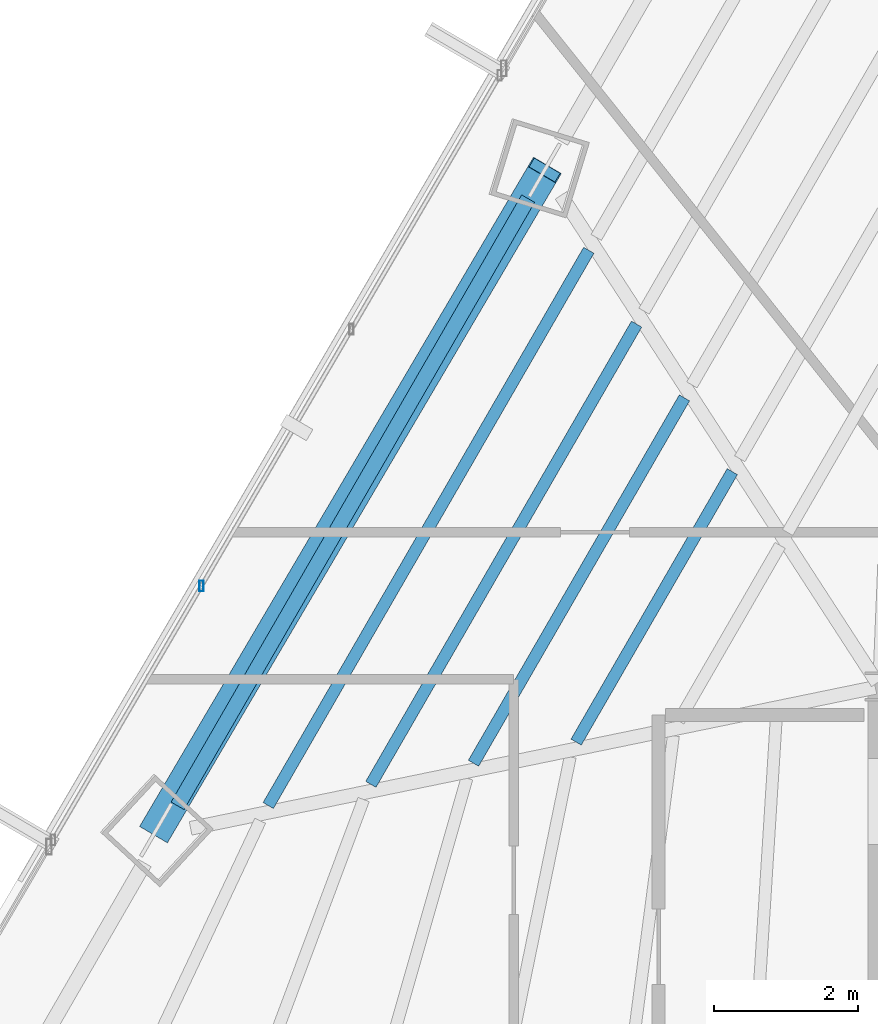
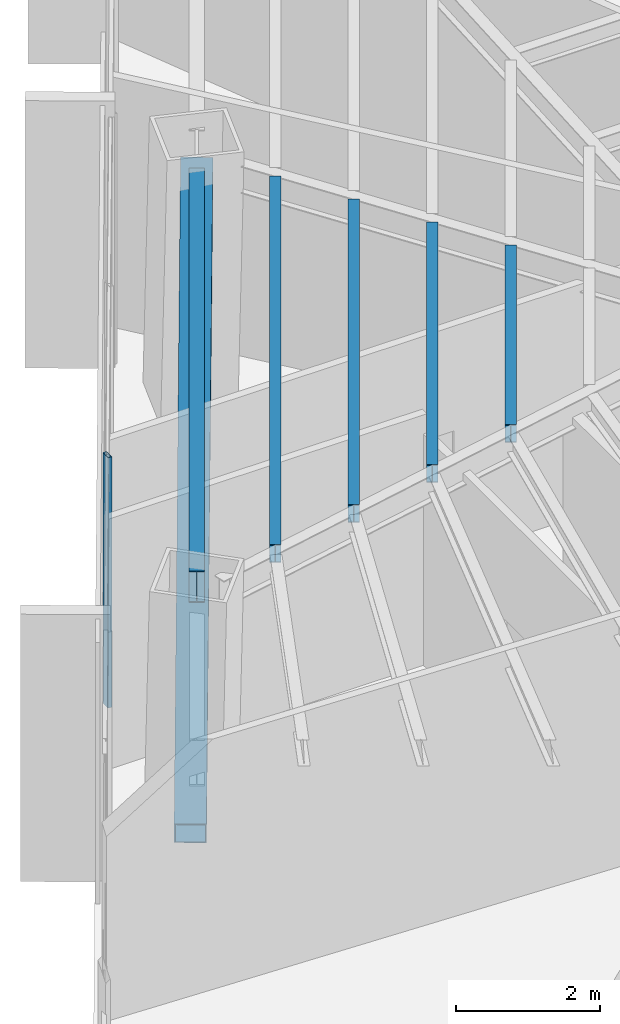
# One storey, part 12 of 37: 5 beams, 2 members, 1 element without a shape of its own.
"""IFC4 building model written with IfcOpenShell, lengths in metres."""

from ifc_helpers import new_model, si_unit, direction, frame, origin, origin_2d, place, context, subcontext, project, spatial, hollow_rectangle, i_section, extrude, source, transform, mapped, material, material_profile, profile_set, type_object, type_shapes, element, aggregate, save


model = new_model("IFC4")

# Units and contexts
model_context = context("Model", 3, precision=1e-05, world=origin(), true_north=direction((0.0, 1.0)))
body_context = subcontext(model_context, "Body", "Model", "MODEL_VIEW")
ifc_project = project(units=[si_unit("LENGTHUNIT", "METRE"), si_unit("AREAUNIT", "SQUARE_METRE"), si_unit("VOLUMEUNIT", "CUBIC_METRE"), si_unit("PLANEANGLEUNIT", "RADIAN"), si_unit("MASSUNIT", "GRAM", prefix="KILO")], contexts=[model_context])

# Site, building, storey
site_placement = place(None, origin())
site = spatial("IfcSite", under=ifc_project, at=site_placement, CompositionType="ELEMENT")
building_placement = place(site_placement, origin())
building = spatial("IfcBuilding", under=site, at=building_placement, Name="Caelisora Broadcast Tower", CompositionType="ELEMENT")
storey_placement = place(building_placement, frame((0.0, 0.0, 127.300048828125)))
storey = spatial("IfcBuildingStorey", under=building, at=storey_placement, Name="L33", CompositionType="ELEMENT", Elevation=127.300048828125)

# Beams
ifc_material_1 = material(Name="Steel Grade 350 (AS/NZS 3679.1)", Category="steel")
ifc_material_profile_1 = material_profile(ifc_material_1, i_section(OverallWidth=0.208984375, OverallDepth=0.532958984375, WebThickness=0.01025390625, FlangeThickness=0.015625, at=origin_2d()), Name="Steel Grade 350 (AS/NZS 3679.1)")
ifc_profile_set_1 = profile_set([ifc_material_profile_1], Name="Steel Grade 350 (AS/NZS 3679.1)")
beam_type_1 = type_object("IfcBeamType", Name="PG05", PredefinedType="BEAM", material=ifc_profile_set_1)
shared_shape_1 = source(origin(), body_context, "Body", "SweptSolid", [
    extrude(i_section(OverallWidth=0.208984375, OverallDepth=0.532958984375, WebThickness=0.01025390625, FlangeThickness=0.015625, at=origin_2d()), origin(), (0.0, 0.0, 1.0), 9.7705078125),
])
type_shapes(beam_type_1, [shared_shape_1])
beam_1_placement = place(storey_placement, frame((25.602294921875, 36.798828125, 3.9833984375), z_axis=(-0.500003642646, -0.866023300691, 0.0), x_axis=(0.866023300691, -0.500003642646, 0.0)))
element("IfcBeam", 1, at=beam_1_placement, inside=storey, type_object=beam_type_1, Name="L33 beam PG05", PredefinedType="BEAM", context=body_context, shape_type="MappedRepresentation", body=[
    mapped(shared_shape_1, transform((0.0, 0.0, 0.0), scale=1.0)),
])
ifc_material_profile_2 = material_profile(ifc_material_1, i_section(OverallWidth=0.166015625, OverallDepth=0.30712890625, WebThickness=0.006591796875, FlangeThickness=0.01171875, at=origin_2d()), Name="Steel Grade 350 (AS/NZS 3679.1)")
ifc_profile_set_2 = profile_set([ifc_material_profile_2], Name="Steel Grade 350 (AS/NZS 3679.1)")
beam_type_2 = type_object("IfcBeamType", Name="SB03", PredefinedType="JOIST", material=ifc_profile_set_2)
shared_shape_2 = source(origin(), body_context, "Body", "SweptSolid", [
    extrude(i_section(OverallWidth=0.166015625, OverallDepth=0.30712890625, WebThickness=0.006591796875, FlangeThickness=0.01171875, at=origin_2d()), origin(), (0.0, 0.0, 1.0), 4.3525390625),
])
beam_2_placement = place(storey_placement, frame((28.447509765625, 32.994384765625, 4.096435546875), z_axis=(-0.499987877897, -0.866032402371, 0.0), x_axis=(0.866032402371, -0.499987877897, 0.0)))
element("IfcBeam", 2, at=beam_2_placement, inside=storey, type_object=beam_type_2, Name="L33 beam SB03", PredefinedType="JOIST", context=body_context, shape_type="MappedRepresentation", body=[
    mapped(shared_shape_2, transform((0.0, 0.0, 0.0), scale=1.0)),
])
shared_shape_3 = source(origin(), body_context, "Body", "SweptSolid", [
    extrude(i_section(OverallWidth=0.166015625, OverallDepth=0.30712890625, WebThickness=0.006591796875, FlangeThickness=0.01171875, at=origin_2d()), origin(), (0.0, 0.0, 1.0), 5.879638671875),
])
beam_3_placement = place(storey_placement, frame((27.780517578125, 34.0224609375, 4.096435546875), z_axis=(-0.499975255428, -0.866039689599, 0.0), x_axis=(0.866039689599, -0.499975255428, 0.0)))
element("IfcBeam", 3, at=beam_3_placement, inside=storey, type_object=beam_type_2, Name="L33 beam SB03", PredefinedType="JOIST", context=body_context, shape_type="MappedRepresentation", body=[
    mapped(shared_shape_3, transform((0.0, 0.0, 0.0), scale=1.0)),
])
shared_shape_4 = source(origin(), body_context, "Body", "SweptSolid", [
    extrude(i_section(OverallWidth=0.166015625, OverallDepth=0.30712890625, WebThickness=0.006591796875, FlangeThickness=0.01171875, at=origin_2d()), origin(), (0.0, 0.0, 1.0), 7.40673828125),
])
beam_4_placement = place(storey_placement, frame((27.11376953125, 35.050537109375, 4.096435546875), z_axis=(-0.499992559605, -0.866029699456, 0.0), x_axis=(0.866029699456, -0.499992559605, 0.0)))
element("IfcBeam", 4, at=beam_4_placement, inside=storey, type_object=beam_type_2, Name="L33 beam SB03", PredefinedType="JOIST", context=body_context, shape_type="MappedRepresentation", body=[
    mapped(shared_shape_4, transform((0.0, 0.0, 0.0), scale=1.0)),
])
shared_shape_5 = source(origin(), body_context, "Body", "SweptSolid", [
    extrude(i_section(OverallWidth=0.166015625, OverallDepth=0.30712890625, WebThickness=0.006591796875, FlangeThickness=0.01171875, at=origin_2d()), origin(), (0.0, 0.0, 1.0), 8.934326171875),
])
type_shapes(beam_type_2, [shared_shape_2, shared_shape_3, shared_shape_4, shared_shape_5])
beam_5_placement = place(storey_placement, frame((26.447021484375, 36.078857421875, 4.096435546875), z_axis=(-0.499980282632, -0.866036787313, 0.0), x_axis=(0.866036787313, -0.499980282632, 0.0)))
element("IfcBeam", 5, at=beam_5_placement, inside=storey, type_object=beam_type_2, Name="L33 beam SB03", PredefinedType="JOIST", context=body_context, shape_type="MappedRepresentation", body=[
    mapped(shared_shape_5, transform((0.0, 0.0, 0.0), scale=1.0)),
])

# Member
ifc_material_2 = material(Name="Steel Grade 450 (AS/NZS 1163 C450L0)", Category="steel")
ifc_material_profile_3 = material_profile(ifc_material_2, hollow_rectangle(XDim=0.449951171875, YDim=0.449951171875, WallThickness=0.01611328125, at=origin_2d()), Name="Steel Grade 450 (AS/NZS 1163 C450L0)")
ifc_profile_set_3 = profile_set([ifc_material_profile_3], Name="Steel Grade 450 (AS/NZS 1163 C450L0)")
member_type_1 = type_object("IfcMemberType", Name="BR03", PredefinedType="BRACE", material=ifc_profile_set_3)
shared_shape_6 = source(origin(), body_context, "Body", "SweptSolid", [
    extrude(hollow_rectangle(XDim=0.449951171875, YDim=0.449951171875, WallThickness=0.01611328125, at=origin_2d()), origin(), (0.0, 0.0, 1.0), 11.343994140625),
])
type_shapes(member_type_1, [shared_shape_6])
member_1_placement = place(storey_placement, frame((25.832275390625, 37.197265625, 3.949951171875), z_axis=(-0.477107444555, -0.810667293134, -0.339392142209), x_axis=(0.861820678868, -0.507213088824, 0.0)))
element("IfcMember", 6, at=member_1_placement, inside=storey, type_object=member_type_1, Name="L33 perimeter brace BR03", PredefinedType="BRACE", context=body_context, shape_type="MappedRepresentation", body=[
    mapped(shared_shape_6, transform((0.0, 0.0, 0.0), scale=1.0)),
])

# Curtain wall, member
ifc_material_3 = material(Name="Unitised Aluminium Insulated Shadow-Box Spandrel Curtain Wall", Category="aluminium")
curtain_wall_type = type_object("IfcCurtainWallType", Name="CW-SP2", PredefinedType="NOTDEFINED", material=ifc_material_3)
curtain_wall_placement = place(storey_placement, origin())
curtain_wall = element("IfcCurtainWall", 7, at=curtain_wall_placement, inside=storey, type_object=curtain_wall_type, Name="L33 curtain wall CW-SP2", PredefinedType="NOTDEFINED")
ifc_material_4 = material(Name="Aluminium 6063-T6 Anodised Terracotta Bronze", Category="aluminium")
ifc_material_profile_4 = material_profile(ifc_material_4, hollow_rectangle(XDim=0.06005859375, YDim=0.14990234375, WallThickness=0.00341796875, at=origin_2d()), Name="Aluminium 6063-T6 Anodised Terracotta Bronze")
ifc_profile_set_4 = profile_set([ifc_material_profile_4], Name="Aluminium 6063-T6 Anodised Terracotta Bronze")
member_type_2 = type_object("IfcMemberType", Name="CWM-03", PredefinedType="MULLION", material=ifc_profile_set_4)
shared_shape_7 = source(origin(), body_context, "Body", "SweptSolid", [
    extrude(hollow_rectangle(XDim=0.06005859375, YDim=0.14990234375, WallThickness=0.00341796875, at=origin_2d()), origin(), (0.0, 0.0, 1.0), 4.25),
])
type_shapes(member_type_2, [shared_shape_7])
member_2_placement = place(storey_placement, frame((21.04931640625, 31.3994140625, 0.0), z_axis=(0.0, 0.0, 1.0), x_axis=(1.0, 0.0, 0.0)))
member_2 = element("IfcMember", 8, at=member_2_placement, type_object=member_type_2, Name="L33-CW-B10 mullion #1", PredefinedType="MULLION", context=body_context, shape_type="MappedRepresentation", body=[
    mapped(shared_shape_7, transform((0.0, 0.0, 0.0), scale=1.0)),
])
aggregate(curtain_wall, [member_2])

save(model, "model.ifc")
